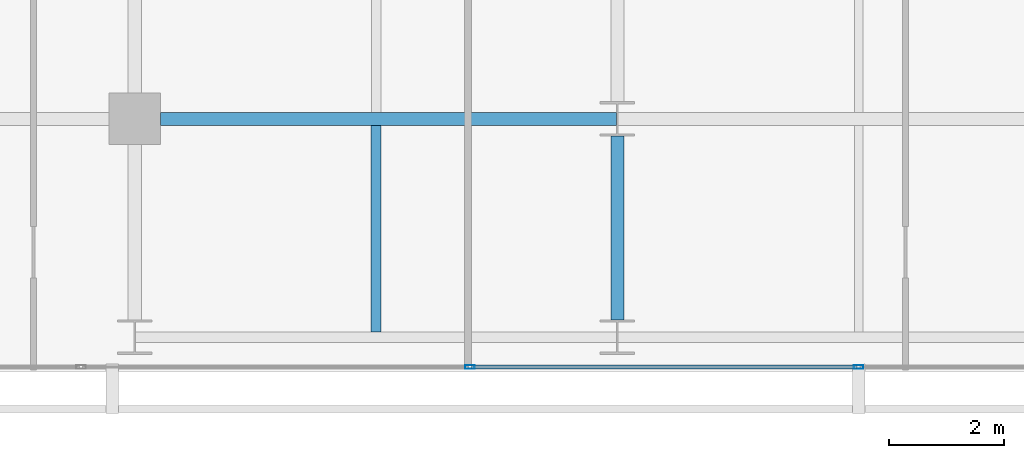
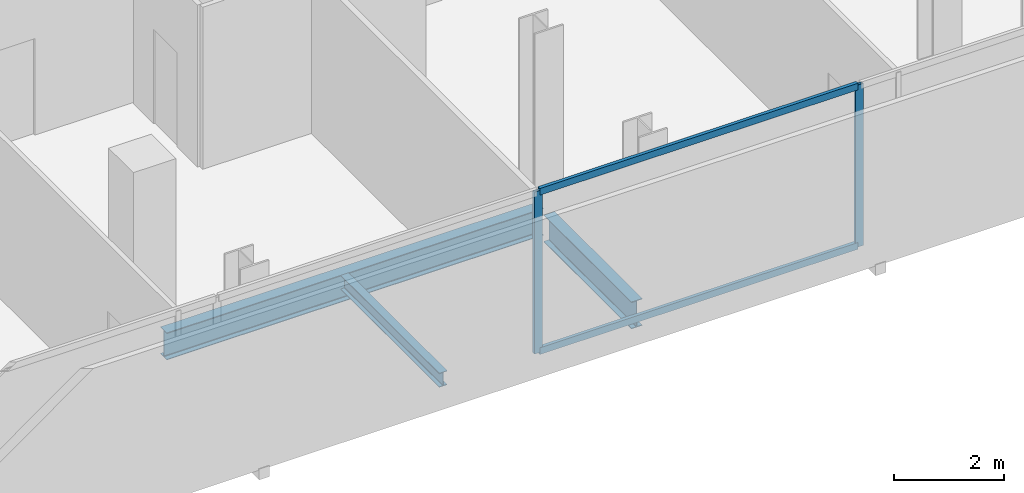
# One storey, part 6 of 32: 4 members, 3 beams, 1 element without a shape of its own.
"""IFC4 building model written with IfcOpenShell, lengths in metres."""

from ifc_helpers import new_model, si_unit, direction, frame, origin, origin_2d, place, context, subcontext, project, spatial, hollow_rectangle, i_section, extrude, material, layer, layer_set, material_profile, profile_set, type_object, element, aggregate, save


model = new_model("IFC4")

# Units and contexts
model_context = context("Model", 3, precision=1e-05, world=origin(), true_north=direction((0.0, 1.0)))
body_context = subcontext(model_context, "Body", "Model", "MODEL_VIEW")
ifc_project = project(units=[si_unit("LENGTHUNIT", "METRE"), si_unit("AREAUNIT", "SQUARE_METRE"), si_unit("VOLUMEUNIT", "CUBIC_METRE"), si_unit("PLANEANGLEUNIT", "RADIAN"), si_unit("MASSUNIT", "GRAM", prefix="KILO")], contexts=[model_context])

# Site, building, storey
site_placement = place(None, origin())
site = spatial("IfcSite", under=ifc_project, at=site_placement, CompositionType="ELEMENT")
building_placement = place(site_placement, origin())
building = spatial("IfcBuilding", under=site, at=building_placement, Name="Maruvema Waterfront Hotel and Observation Tower", CompositionType="ELEMENT")
storey_placement = place(building_placement, frame((0.0, 0.0, 162.050048828125)))
storey = spatial("IfcBuildingStorey", under=building, at=storey_placement, Name="L39", CompositionType="ELEMENT", Elevation=162.050048828125)

# Curtain wall, members
ifc_material_1 = material(Name="Anodised bronze aluminium and solar-control low-E IGU", Category="aluminium")
ifc_layer = layer(ifc_material_1, 0.159912109375, Name="Zone 2 Amber Inner Thermal Curtain Wall System CW-03")
ifc_layer_set = layer_set([ifc_layer], Name="Anodised bronze aluminium and solar-control low-E IGU")
curtain_wall_type = type_object("IfcCurtainWallType", Name="Zone 2 Amber Inner Thermal Curtain Wall System CW-03", PredefinedType="USERDEFINED", material=ifc_layer_set)
curtain_wall_placement = place(storey_placement, origin())
curtain_wall = element("IfcCurtainWall", 1, at=curtain_wall_placement, inside=storey, type_object=curtain_wall_type, Name="L39 Curtain Wall CW-L39-S", ObjectType="UNITISED CURTAIN WALL", PredefinedType="USERDEFINED")
ifc_material_2 = material(Name="Anodised architectural bronze aluminium", Category="aluminium")
ifc_material_profile_1 = material_profile(ifc_material_2, hollow_rectangle(XDim=0.070068359375, YDim=0.14990234375, WallThickness=0.00390625, at=origin_2d()), Name="ALU-T70x150")
ifc_profile_set_1 = profile_set([ifc_material_profile_1], Name="Anodised architectural bronze aluminium")
member_type_1 = type_object("IfcMemberType", Name="Curtain Wall Horizontal Transom ALU-T70x150", PredefinedType="USERDEFINED", material=ifc_profile_set_1)
member_1_placement = place(storey_placement, frame((31.063232421875, 4.679931640625, 0.030029296875), z_axis=(1.0, 0.0, 0.0), x_axis=(0.0, 1.0, 0.0)))
member_1 = element("IfcMember", 2, at=member_1_placement, type_object=member_type_1, Name="CW-03 transom 3.1", ObjectType="TRANSOM", PredefinedType="USERDEFINED", context=body_context, shape_type="SweptSolid", body=[
    extrude(hollow_rectangle(XDim=0.070068359375, YDim=0.14990234375, WallThickness=0.00390625, at=origin_2d()), origin(), (0.0, 0.0, 1.0), 6.706787109375),
])
member_2_placement = place(storey_placement, frame((31.063232421875, 4.679931640625, 3.579833984375), z_axis=(1.0, 0.0, 0.0), x_axis=(0.0, 1.0, 0.0)))
member_2 = element("IfcMember", 3, at=member_2_placement, type_object=member_type_1, Name="CW-03 transom 3.2", ObjectType="TRANSOM", PredefinedType="USERDEFINED", context=body_context, shape_type="SweptSolid", body=[
    extrude(hollow_rectangle(XDim=0.070068359375, YDim=0.14990234375, WallThickness=0.00390625, at=origin_2d()), origin(), (0.0, 0.0, 1.0), 6.706787109375),
])
ifc_material_3 = material(Name="Anodised architectural bronze aluminium", Category="aluminium")
ifc_material_profile_2 = material_profile(ifc_material_3, hollow_rectangle(XDim=0.06494140625, YDim=0.1650390625, WallThickness=0.00390625, at=origin_2d()), Name="ALU-M65x165")
ifc_profile_set_2 = profile_set([ifc_material_profile_2], Name="Anodised architectural bronze aluminium")
member_type_2 = type_object("IfcMemberType", Name="Curtain Wall Primary Mullion ALU-M65x165", PredefinedType="MULLION", material=ifc_profile_set_2)
member_3_placement = place(storey_placement, frame((31.033447265625, 4.679931640625, 0.0), z_axis=(0.0, 0.0, 1.0), x_axis=(0.0, 1.0, 0.0)))
member_3 = element("IfcMember", 4, at=member_3_placement, type_object=member_type_2, Name="CW-03 mullion 3", PredefinedType="MULLION", context=body_context, shape_type="SweptSolid", body=[
    extrude(hollow_rectangle(XDim=0.06494140625, YDim=0.1650390625, WallThickness=0.00390625, at=origin_2d()), origin(), (0.0, 0.0, 1.0), 3.60986328125),
])
member_4_placement = place(storey_placement, frame((37.800048828125, 4.679931640625, 0.0), z_axis=(0.0, 0.0, 1.0), x_axis=(0.0, 1.0, 0.0)))
member_4 = element("IfcMember", 5, at=member_4_placement, type_object=member_type_2, Name="CW-03 mullion 4", PredefinedType="MULLION", context=body_context, shape_type="SweptSolid", body=[
    extrude(hollow_rectangle(XDim=0.06494140625, YDim=0.1650390625, WallThickness=0.00390625, at=origin_2d()), origin(), (0.0, 0.0, 1.0), 3.60986328125),
])
aggregate(curtain_wall, [member_3, member_4, member_1, member_2])

# Beams
ifc_material_4 = material(Name="Steel ASTM A572 Grade 50", Category="steel")
ifc_material_profile_3 = material_profile(ifc_material_4, i_section(OverallWidth=0.22802734375, OverallDepth=0.60302734375, WebThickness=0.010498046875, FlangeThickness=0.014892578125, FilletRadius=0.01806640625, at=origin_2d()), Name="W610x101.0")
ifc_profile_set_3 = profile_set([ifc_material_profile_3], Name="Steel ASTM A572 Grade 50")
beam_type_1 = type_object("IfcBeamType", Name="Primary Floor Girder W610x101.0", PredefinedType="BEAM", material=ifc_profile_set_3)
beam_1_placement = place(storey_placement, frame((25.64990234375, 9.0, -0.54150390625), z_axis=(1.0, 0.0, 0.0), x_axis=(0.0, 1.0, 0.0)))
element("IfcBeam", 6, at=beam_1_placement, inside=storey, type_object=beam_type_1, Name="L39 Floor Girder EW-06", PredefinedType="BEAM", context=body_context, shape_type="SweptSolid", body=[
    extrude(i_section(OverallWidth=0.22802734375, OverallDepth=0.60302734375, WebThickness=0.010498046875, FlangeThickness=0.014892578125, FilletRadius=0.01806640625, at=origin_2d()), origin(), (0.0, 0.0, 1.0), 7.9375),
])
beam_2_placement = place(storey_placement, frame((33.60009765625, 5.5, -0.54150390625), z_axis=(0.0, 1.0, 0.0), x_axis=(-1.0, 0.0, 0.0)))
element("IfcBeam", 7, at=beam_2_placement, inside=storey, type_object=beam_type_1, Name="L39 Floor Girder NS-14", PredefinedType="BEAM", context=body_context, shape_type="SweptSolid", body=[
    extrude(i_section(OverallWidth=0.22802734375, OverallDepth=0.60302734375, WebThickness=0.010498046875, FlangeThickness=0.014892578125, FilletRadius=0.01806640625, at=origin_2d()), origin(), (0.0, 0.0, 1.0), 3.199951171875),
])
ifc_material_5 = material(Name="Steel ASTM A572 Grade 50", Category="steel")
ifc_material_profile_4 = material_profile(ifc_material_5, i_section(OverallWidth=0.1669921875, OverallDepth=0.31689453125, WebThickness=0.007568359375, FlangeThickness=0.01318359375, FilletRadius=0.012939453125, at=origin_2d()), Name="W310x52.0")
ifc_profile_set_4 = profile_set([ifc_material_profile_4], Name="Steel ASTM A572 Grade 50")
beam_type_2 = type_object("IfcBeamType", Name="Secondary Floor Joist W310x52.0", PredefinedType="JOIST", material=ifc_profile_set_4)
beam_3_placement = place(storey_placement, frame((29.39990234375, 5.29052734375, -0.3984375), z_axis=(0.0, 1.0, 0.0), x_axis=(-1.0, 0.0, 0.0)))
element("IfcBeam", 8, at=beam_3_placement, inside=storey, type_object=beam_type_2, Name="L39 Secondary Floor Joist JS-05", PredefinedType="JOIST", context=body_context, shape_type="SweptSolid", body=[
    extrude(i_section(OverallWidth=0.1669921875, OverallDepth=0.31689453125, WebThickness=0.007568359375, FlangeThickness=0.01318359375, FilletRadius=0.012939453125, at=origin_2d()), origin(), (0.0, 0.0, 1.0), 3.595458984375),
])

save(model, "model.ifc")
